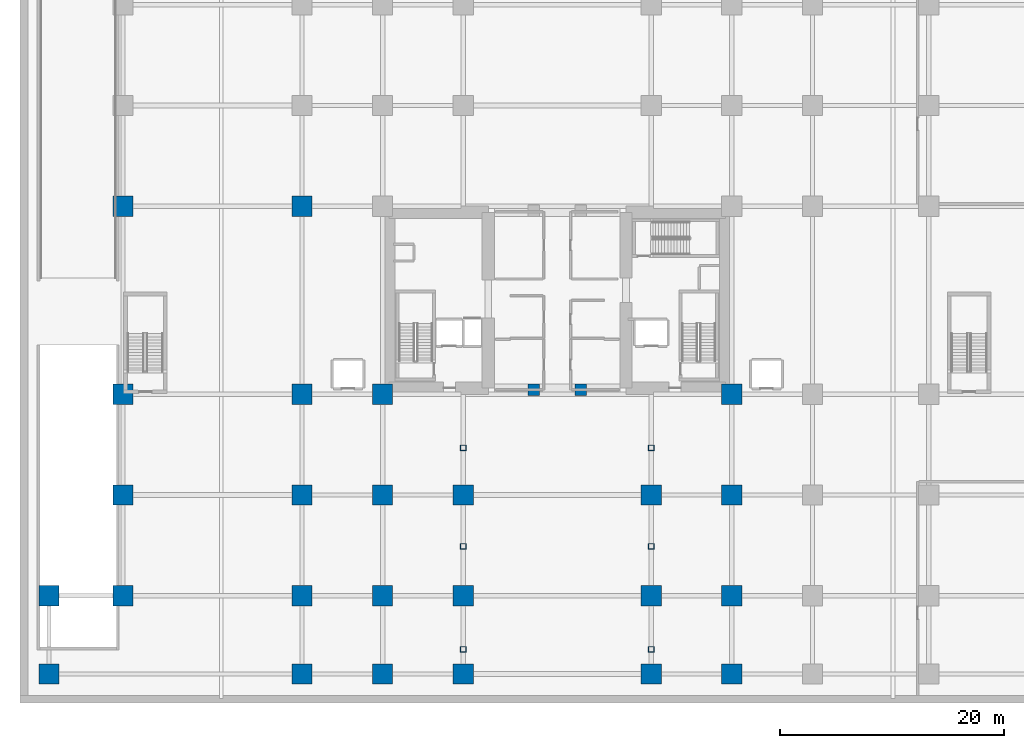
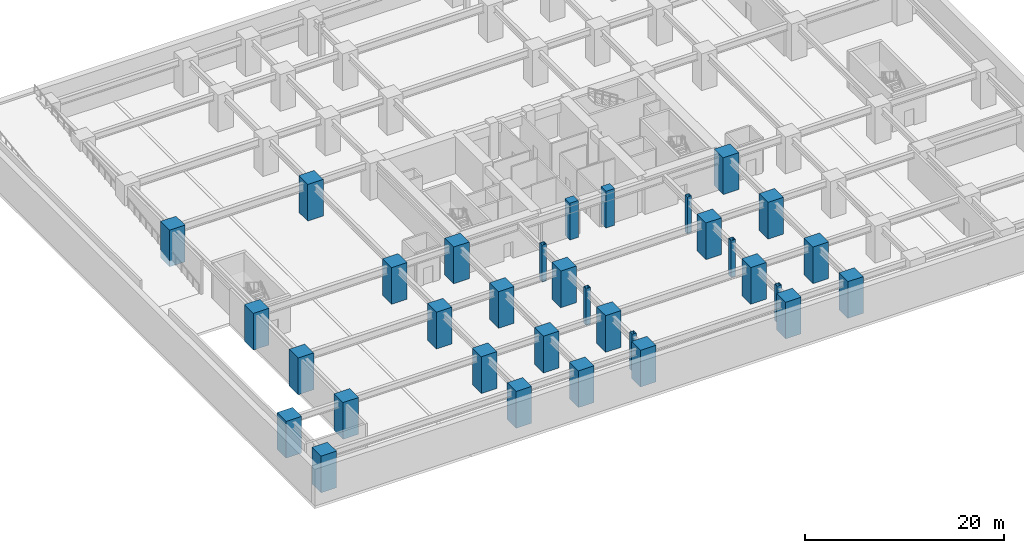
# One storey, part 1 of 20: 33 columns.
"""IFC4 building model written with IfcOpenShell, lengths in metres."""

from ifc_helpers import new_model, si_unit, direction, frame, origin, origin_2d, place, context, subcontext, project, spatial, rectangle, hollow_rectangle, extrude, material, material_profile, profile_set, type_object, element, save


model = new_model("IFC4")

# Units and contexts
model_context = context("Model", 3, precision=1e-05, world=origin(), true_north=direction((0.0, 1.0)))
body_context = subcontext(model_context, "Body", "Model", "MODEL_VIEW")
ifc_project = project(units=[si_unit("LENGTHUNIT", "METRE"), si_unit("AREAUNIT", "SQUARE_METRE"), si_unit("VOLUMEUNIT", "CUBIC_METRE"), si_unit("PLANEANGLEUNIT", "RADIAN"), si_unit("MASSUNIT", "GRAM", prefix="KILO")], contexts=[model_context])

# Site, building, storey
site_placement = place(None, origin())
site = spatial("IfcSite", under=ifc_project, at=site_placement, CompositionType="ELEMENT")
building_placement = place(site_placement, origin())
building = spatial("IfcBuilding", under=site, at=building_placement, Name="Kiyonajd Concourse Tower", CompositionType="ELEMENT")
storey_placement = place(building_placement, frame((0.0, 0.0, -4.5)))
storey = spatial("IfcBuildingStorey", under=building, at=storey_placement, Name="B1", CompositionType="ELEMENT", Elevation=-4.5)

# Columns
ifc_material_1 = material(Name="Concrete C80/95", Category="concrete")
ifc_material_profile_1 = material_profile(ifc_material_1, rectangle(XDim=1.800048828125, YDim=1.800048828125, at=origin_2d()), Name="RC-1800x1800")
ifc_profile_set_1 = profile_set([ifc_material_profile_1], Name="Concrete C80/95")
column_type_1 = type_object("IfcColumnType", Name="CL-MEGA-1800", PredefinedType="COLUMN", material=ifc_profile_set_1)
for number, where, z_axis, x_axis, name in (
    (1, (2.60009765625, 2.60009765625, 0.0), (0.0, 0.0, 1.0), (1.0, 0.0, 0.0), "B1 Podium Mega Column"),
    (2, (2.60009765625, 9.60009765625, 0.0), (0.0, 0.0, 1.0), (1.0, 0.0, 0.0), "B1 Podium Mega Column"),
    (3, (9.199951171875, 9.60009765625, 0.0), (0.0, 0.0, 1.0), (1.0, 0.0, 0.0), "B1 Podium Mega Column"),
    (4, (9.199951171875, 18.60009765625, 0.0), (0.0, 0.0, 1.0), (1.0, 0.0, 0.0), "B1 Podium Mega Column"),
    (5, (9.199951171875, 27.60009765625, 0.0), (0.0, 0.0, 1.0), (1.0, 0.0, 0.0), "B1 Podium Mega Column"),
    (6, (9.199951171875, 44.39990234375, 0.0), (0.0, 0.0, 1.0), (1.0, 0.0, 0.0), "B1 Podium Mega Column"),
    (7, (25.199951171875, 2.60009765625, 0.0), (0.0, 0.0, 1.0), (1.0, 0.0, 0.0), "B1 Podium Mega Column"),
    (8, (25.199951171875, 9.60009765625, 0.0), (0.0, 0.0, 1.0), (1.0, 0.0, 0.0), "B1 Podium Mega Column"),
    (9, (25.199951171875, 18.60009765625, 0.0), (0.0, 0.0, 1.0), (1.0, 0.0, 0.0), "B1 Podium Mega Column"),
    (10, (25.199951171875, 27.60009765625, 0.0), (0.0, 0.0, 1.0), (1.0, 0.0, 0.0), "B1 Podium Mega Column"),
    (11, (25.199951171875, 44.39990234375, 0.0), (0.0, 0.0, 1.0), (1.0, 0.0, 0.0), "B1 Podium Mega Column"),
    (12, (32.39990234375, 2.60009765625, 0.0), (0.0, 0.0, 1.0), (1.0, 0.0, 0.0), "B1 Podium Mega Column"),
    (13, (32.39990234375, 9.60009765625, 0.0), (0.0, 0.0, 1.0), (1.0, 0.0, 0.0), "B1 Podium Mega Column"),
    (14, (32.39990234375, 18.60009765625, 0.0), (0.0, 0.0, 1.0), (1.0, 0.0, 0.0), "B1 Podium Mega Column"),
    (15, (32.39990234375, 27.60009765625, 0.0), (0.0, 0.0, 1.0), (1.0, 0.0, 0.0), "B1 Podium Mega Column"),
    (16, (39.60009765625, 2.60009765625, 0.0), (0.0, 0.0, 1.0), (1.0, 0.0, 0.0), "B1 Podium Mega Column"),
    (17, (39.60009765625, 9.60009765625, 0.0), (0.0, 0.0, 1.0), (1.0, 0.0, 0.0), "B1 Podium Mega Column"),
    (18, (39.60009765625, 18.60009765625, 0.0), (0.0, 0.0, 1.0), (1.0, 0.0, 0.0), "B1 Podium Mega Column"),
    (19, (56.39990234375, 2.60009765625, 0.0), (0.0, 0.0, 1.0), (1.0, 0.0, 0.0), "B1 Podium Mega Column"),
    (20, (56.39990234375, 9.60009765625, 0.0), (0.0, 0.0, 1.0), (1.0, 0.0, 0.0), "B1 Podium Mega Column"),
    (21, (56.39990234375, 18.60009765625, 0.0), (0.0, 0.0, 1.0), (1.0, 0.0, 0.0), "B1 Podium Mega Column"),
    (22, (63.60009765625, 2.60009765625, 0.0), (0.0, 0.0, 1.0), (1.0, 0.0, 0.0), "B1 Podium Mega Column"),
    (23, (63.60009765625, 9.60009765625, 0.0), (0.0, 0.0, 1.0), (1.0, 0.0, 0.0), "B1 Podium Mega Column"),
    (24, (63.60009765625, 18.60009765625, 0.0), (0.0, 0.0, 1.0), (1.0, 0.0, 0.0), "B1 Podium Mega Column"),
    (25, (63.60009765625, 27.60009765625, 0.0), (0.0, 0.0, 1.0), (1.0, 0.0, 0.0), "B1 Podium Mega Column"),
):
    element("IfcColumn", number, at=place(storey_placement, frame(where, z_axis=z_axis, x_axis=x_axis)), inside=storey, type_object=column_type_1, Name=name, PredefinedType="COLUMN", context=body_context, shape_type="SweptSolid", body=[
        extrude(rectangle(XDim=1.800048828125, YDim=1.800048828125, at=origin_2d()), origin(), (0.0, 0.0, 1.0), 4.5),
    ])
ifc_material_2 = material(Name="Steel ASTM A572 Grade 50", Category="steel")
ifc_material_profile_2 = material_profile(ifc_material_2, hollow_rectangle(XDim=0.5, YDim=0.5, WallThickness=0.02490234375, at=origin_2d()), Name="HSS-500x500x25")
ifc_profile_set_2 = profile_set([ifc_material_profile_2], Name="Steel ASTM A572 Grade 50")
column_type_2 = type_object("IfcColumnType", Name="CL-PIL-600", PredefinedType="PILASTER", material=ifc_profile_set_2)
for number, where, z_axis, x_axis, name in (
    (26, (39.60009765625, 4.800048828125, 0.0), (0.0, 0.0, 1.0), (1.0, 0.0, 0.0), "B1 Concourse Facade Pilaster Column"),
    (27, (39.60009765625, 14.0, 0.0), (0.0, 0.0, 1.0), (1.0, 0.0, 0.0), "B1 Concourse Facade Pilaster Column"),
    (28, (39.60009765625, 22.800048828125, 0.0), (0.0, 0.0, 1.0), (1.0, 0.0, 0.0), "B1 Concourse Facade Pilaster Column"),
    (29, (56.39990234375, 4.800048828125, 0.0), (0.0, 0.0, 1.0), (1.0, 0.0, 0.0), "B1 Concourse Facade Pilaster Column"),
    (30, (56.39990234375, 14.0, 0.0), (0.0, 0.0, 1.0), (1.0, 0.0, 0.0), "B1 Concourse Facade Pilaster Column"),
    (31, (56.39990234375, 22.800048828125, 0.0), (0.0, 0.0, 1.0), (1.0, 0.0, 0.0), "B1 Concourse Facade Pilaster Column"),
):
    element("IfcColumn", number, at=place(storey_placement, frame(where, z_axis=z_axis, x_axis=x_axis)), inside=storey, type_object=column_type_2, Name=name, PredefinedType="PILASTER", context=body_context, shape_type="SweptSolid", body=[
        extrude(hollow_rectangle(XDim=0.5, YDim=0.5, WallThickness=0.02490234375, at=origin_2d()), origin(), (0.0, 0.0, 1.0), 4.5),
    ])
ifc_material_3 = material(Name="Concrete C60/75", Category="concrete")
ifc_material_profile_3 = material_profile(ifc_material_3, rectangle(XDim=1.0, YDim=1.0, at=origin_2d()), Name="RC-1000x1000")
ifc_profile_set_3 = profile_set([ifc_material_profile_3], Name="Concrete C60/75")
column_type_3 = type_object("IfcColumnType", Name="CL-TUBE-1000", PredefinedType="COLUMN", material=ifc_profile_set_3)
for number, where, z_axis, x_axis, name in (
    (32, (45.89990234375, 28.0, 0.0), (0.0, 0.0, 1.0), (1.0, 0.0, 0.0), "B1 Core Tie Column South West"),
    (33, (50.10009765625, 28.0, 0.0), (0.0, 0.0, 1.0), (1.0, 0.0, 0.0), "B1 Core Tie Column South East"),
):
    element("IfcColumn", number, at=place(storey_placement, frame(where, z_axis=z_axis, x_axis=x_axis)), inside=storey, type_object=column_type_3, Name=name, PredefinedType="COLUMN", context=body_context, shape_type="SweptSolid", body=[
        extrude(rectangle(XDim=1.0, YDim=1.0, at=origin_2d()), origin(), (0.0, 0.0, 1.0), 4.5),
    ])

save(model, "model.ifc")
